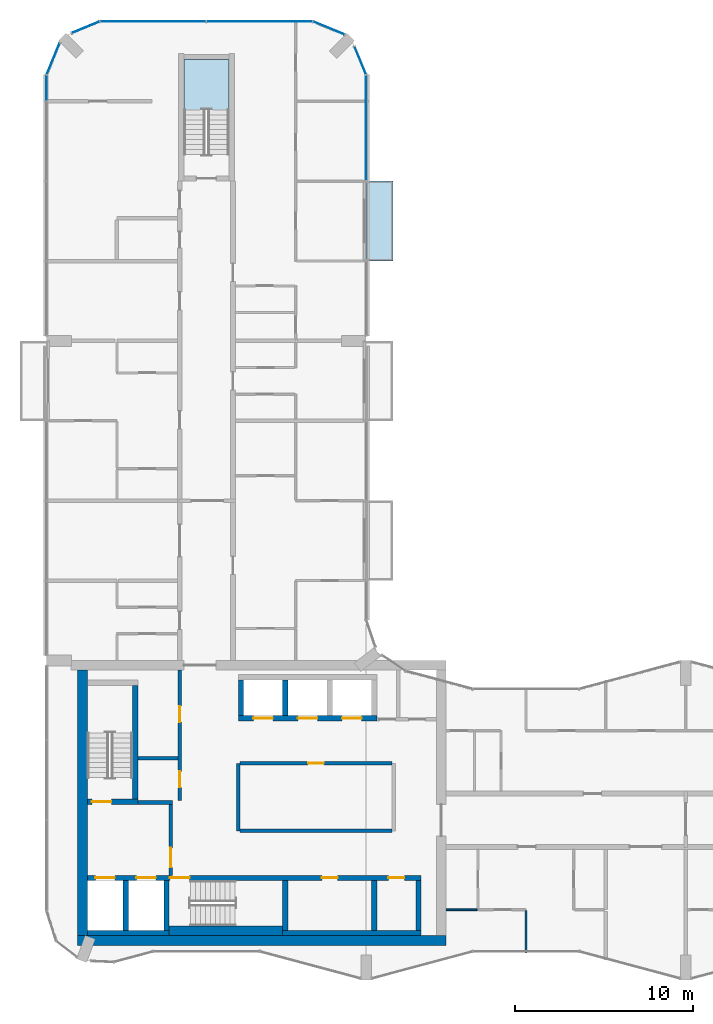
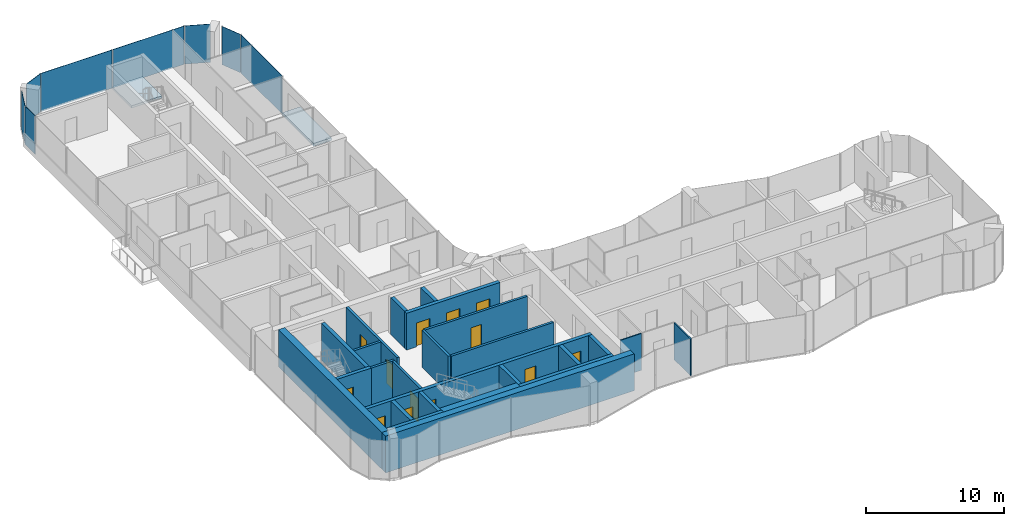
# One storey, part 9 of 15: 25 walls, 13 doors, 8 plates, 2 slabs, 13 openings, 8 elements without a shape of their own.
"""IFC4 building model written with IfcOpenShell, lengths in metres."""

import ifcopenshell
import ifcopenshell.guid

model = None  # the IFC model being written
_history = None  # IfcOwnerHistory: only IFC2X3 demands one
_inside = {}  # id of a spatial element -> (the spatial element, [elements in it])
_under = {}  # id of a project, library or spatial element -> (it, [spatial elements below it])
_declared = {}  # id of a project -> (the project, [libraries it declares])
_typed = {}  # id of a type object -> (the type object, [elements of that type])
_made_of = {}  # id of a material, layer set ... -> (it, [elements and type objects made of it])


def new_model(schema):
    """Start an empty IFC model of exactly this schema.

    Asked for "IFC4X3", IfcOpenShell would pick the latest addendum, in which some entities
    have other attributes; the version numbers below select the first issue.
    IFC2X3 requires an IfcOwnerHistory on every rooted entity: one is made here for all.
    """
    global model, _history
    if schema == "IFC4X3":
        model = ifcopenshell.file(schema_version=(4, 3, 0, 0))
    else:
        model = ifcopenshell.file(schema=schema)
    _inside.clear()
    _under.clear()
    _declared.clear()
    _typed.clear()
    _made_of.clear()
    _history = None
    if model.schema == "IFC2X3":
        org = make("IfcOrganization", Name="unknown")
        user = make(
            "IfcPersonAndOrganization",
            ThePerson=make("IfcPerson", FamilyName="unknown"),
            TheOrganization=org,
        )
        app = make(
            "IfcApplication",
            ApplicationDeveloper=org,
            Version="unknown",
            ApplicationFullName="unknown",
            ApplicationIdentifier="unknown",
        )
        _history = make(
            "IfcOwnerHistory",
            OwningUser=user,
            OwningApplication=app,
            ChangeAction="ADDED",
            CreationDate=0,
        )
    return model


def make(cls, **values):
    """One entity of the class cls with the attributes given. An attribute that is None is left unset."""
    return model.create_entity(
        cls, **{name: value for name, value in values.items() if value is not None}
    )


def rooted(cls, **values):
    """An entity with a GlobalId (a new one), such as an element, a storey or a relation."""
    return make(cls, GlobalId=ifcopenshell.guid.new(), OwnerHistory=_history, **values)


def si_unit(unit_type, name, prefix=None):
    """IfcSIUnit, for example si_unit("LENGTHUNIT", "METRE", prefix="MILLI")."""
    return make("IfcSIUnit", UnitType=unit_type, Prefix=prefix, Name=name)


def assignment(units):
    """IfcUnitAssignment: the units of a project."""
    return None if units is None else make("IfcUnitAssignment", Units=units)


def point(xyz):
    """IfcCartesianPoint."""
    return None if xyz is None else make("IfcCartesianPoint", Coordinates=xyz)


def direction(xyz):
    """IfcDirection."""
    return None if xyz is None else make("IfcDirection", DirectionRatios=xyz)


def frame(location, z_axis=None, x_axis=None):
    """IfcAxis2Placement3D, a coordinate frame: its origin and axes. An axis left out is left unset."""
    return make(
        "IfcAxis2Placement3D",
        Location=point(location),
        Axis=direction(z_axis),
        RefDirection=direction(x_axis),
    )


def frame_2d(location, x_axis=None):
    """IfcAxis2Placement2D, a coordinate frame in the plane: its origin and x axis."""
    return make(
        "IfcAxis2Placement2D", Location=point(location), RefDirection=direction(x_axis)
    )


def origin():
    """The frame at (0, 0, 0) with its axes left unset."""
    return frame((0.0, 0.0, 0.0))


def origin_2d():
    """The frame at (0, 0) in the plane with its x axis left unset."""
    return frame_2d((0.0, 0.0))


def place(relative_to, where):
    """IfcLocalPlacement: puts the frame where relative to a parent placement (None: the world)."""
    return make(
        "IfcLocalPlacement", PlacementRelTo=relative_to, RelativePlacement=where
    )


def context(
    kind, dimensions, precision=None, world=None, true_north=None, identifier=None
):
    """IfcGeometricRepresentationContext, for example the 3D "Model" context."""
    return make(
        "IfcGeometricRepresentationContext",
        ContextIdentifier=identifier,
        ContextType=kind,
        CoordinateSpaceDimension=dimensions,
        Precision=precision,
        WorldCoordinateSystem=world,
        TrueNorth=true_north,
    )


def subcontext(parent, identifier, kind, view, scale=None):
    """IfcGeometricRepresentationSubContext, for example "Body" below "Model"."""
    return make(
        "IfcGeometricRepresentationSubContext",
        ContextIdentifier=identifier,
        ContextType=kind,
        ParentContext=parent,
        TargetScale=scale,
        TargetView=view,
    )


def project(units=None, contexts=None):
    """IfcProject with its units and contexts."""
    return rooted(
        "IfcProject",
        Name="project",
        RepresentationContexts=contexts,
        UnitsInContext=assignment(units),
    )


def spatial(cls, under=None, at=None, **own):
    """A site, building, storey or space (cls), placed at a placement, below another one or the project."""
    s = rooted(cls, ObjectPlacement=at, **own)
    if under is not None:
        _under.setdefault(under.id(), (under, []))[1].append(s)
    return s


def polyline(points):
    """IfcPolyline through the points."""
    return make("IfcPolyline", Points=[point(p) for p in points])


def profile(cls, at=None, kind="AREA", **sizes):
    """A parametric profile (cls). Its sizes go by their IFC names, for example OverallWidth=200.0."""
    return make(cls, ProfileType=kind, Position=at, **sizes)


def rectangle(**sizes):
    """IfcRectangleProfileDef."""
    return profile("IfcRectangleProfileDef", **sizes)


def outline(outer, holes=None, kind="AREA"):
    """IfcArbitraryClosedProfileDef: a profile drawn as a closed curve; with holes, ...WithVoids."""
    if holes is None:
        return make("IfcArbitraryClosedProfileDef", ProfileType=kind, OuterCurve=outer)
    return make(
        "IfcArbitraryProfileDefWithVoids",
        ProfileType=kind,
        OuterCurve=outer,
        InnerCurves=holes,
    )


def extrude(swept, where, along, depth):
    """IfcExtrudedAreaSolid: the profile swept, set in the frame where, extruded along a direction by depth."""
    return make(
        "IfcExtrudedAreaSolid",
        SweptArea=swept,
        Position=where,
        ExtrudedDirection=direction(along),
        Depth=depth,
    )


def shape(context_of_items, identifier, shape_type, items):
    """IfcShapeRepresentation: the items that make up one representation, for example the "Body"."""
    return make(
        "IfcShapeRepresentation",
        ContextOfItems=context_of_items,
        RepresentationIdentifier=identifier,
        RepresentationType=shape_type,
        Items=items,
    )


def material(Name=None, Category=None):
    """IfcMaterial."""
    return make("IfcMaterial", Name=Name, Category=Category)


def layer(
    of_material, thickness, ventilated=None, Name=None, Category=None, Priority=None
):
    """IfcMaterialLayer: one layer of a wall or slab, of a material (None: an air gap)."""
    return make(
        "IfcMaterialLayer",
        Material=of_material,
        LayerThickness=thickness,
        IsVentilated=ventilated,
        Name=Name,
        Category=Category,
        Priority=Priority,
    )


def layer_set(layers, Name=None):
    """IfcMaterialLayerSet."""
    return make("IfcMaterialLayerSet", MaterialLayers=layers, LayerSetName=Name)


def made_of(thing, what):
    """Note that an element or type object is made of a material, layer set ...; save() writes the relation."""
    if what is not None:
        _made_of.setdefault(what.id(), (what, []))[1].append(thing)
    return thing


def type_object(cls, material=None, **own):
    """A type object (cls), such as IfcWallType, which elements share."""
    return made_of(rooted(cls, **own), material)


def element(
    cls,
    number,
    at=None,
    inside=None,
    cuts=None,
    type_object=None,
    material=None,
    context=None,
    identifier="Body",
    shape_type=None,
    held_by="IfcProductDefinitionShape",
    body=None,
    shapes=None,
    **own,
):
    """One element of the class cls, such as IfcWall. Its Tag is "e" and its number.

    at: its placement. inside: the storey or other place that contains it. cuts: it is an
    opening in that element (IfcRelVoidsElement). A single representation is given by context,
    identifier, shape_type and body (its items); several are given by shapes. held_by: the class
    of the entity that holds the representations. save() writes the other relations.
    """
    e = rooted(cls, Tag="e%d" % number, ObjectPlacement=at, **own)
    if body is not None:
        shapes = [shape(context, identifier, shape_type, body)]
    if shapes is not None:
        e.Representation = make(held_by, Representations=shapes)
    if inside is not None:
        _inside.setdefault(inside.id(), (inside, []))[1].append(e)
    if cuts is not None:
        rooted(
            "IfcRelVoidsElement", RelatingBuildingElement=cuts, RelatedOpeningElement=e
        )
    if type_object is not None:
        _typed.setdefault(type_object.id(), (type_object, []))[1].append(e)
    return made_of(e, material)


def fill(opening, filler):
    """IfcRelFillsElement: the door or window that sits in an opening."""
    return rooted(
        "IfcRelFillsElement",
        RelatingOpeningElement=opening,
        RelatedBuildingElement=filler,
    )


def aggregate(whole, parts):
    """IfcRelAggregates: a whole, such as a stair, and the parts it consists of."""
    return rooted("IfcRelAggregates", RelatingObject=whole, RelatedObjects=parts)


def save(model, path):
    """Write the relations noted so far, then the file.

    IfcRelAggregates (storeys below a building ...), IfcRelContainedInSpatialStructure (elements
    in a storey), IfcRelDefinesByType, IfcRelAssociatesMaterial and IfcRelDeclares: one each for
    every whole, place, type object, material and project.
    """
    for whole, parts in _under.values():
        aggregate(whole, parts)
    for where, things in _inside.values():
        rooted(
            "IfcRelContainedInSpatialStructure",
            RelatedElements=things,
            RelatingStructure=where,
        )
    for kind, things in _typed.values():
        rooted("IfcRelDefinesByType", RelatedObjects=things, RelatingType=kind)
    for what, things in _made_of.values():
        rooted("IfcRelAssociatesMaterial", RelatedObjects=things, RelatingMaterial=what)
    for by, libraries in _declared.values():
        rooted("IfcRelDeclares", RelatingContext=by, RelatedDefinitions=libraries)
    model.write(path)


model = new_model("IFC4")

# Units and contexts
model_context = context("Model", 3, precision=1e-05, world=origin(), true_north=direction((0.0, 1.0)))
body_context = subcontext(model_context, "Body", "Model", "MODEL_VIEW")
ifc_project = project(units=[si_unit("LENGTHUNIT", "METRE"), si_unit("AREAUNIT", "SQUARE_METRE"), si_unit("VOLUMEUNIT", "CUBIC_METRE"), si_unit("PLANEANGLEUNIT", "RADIAN"), si_unit("MASSUNIT", "GRAM", prefix="KILO")], contexts=[model_context])

# Site, building, storey
site_placement = place(None, origin())
site = spatial("IfcSite", under=ifc_project, at=site_placement, CompositionType="ELEMENT")
building_placement = place(site_placement, origin())
building = spatial("IfcBuilding", under=site, at=building_placement, Name="Plateau Cross Towers", CompositionType="ELEMENT")
storey_placement = place(building_placement, frame((0.0, 0.0, 204.89990234375)))
storey = spatial("IfcBuildingStorey", under=building, at=storey_placement, Name="L53", CompositionType="ELEMENT", Elevation=204.89990234375)

# Slab
ifc_material_1 = material(Name="Concrete C40/50", Category="concrete")
ifc_layer_1 = layer(ifc_material_1, 0.25)
ifc_layer_set_1 = layer_set([ifc_layer_1], Name="Concrete C40/50")
slab_type_1 = type_object("IfcSlabType", Name="Balcony slab 250", PredefinedType="FLOOR", material=ifc_layer_set_1)
slab_1_placement = place(storey_placement, frame((0.0, 0.0, -0.25)))
element("IfcSlab", 1, at=slab_1_placement, inside=storey, type_object=slab_type_1, Name="Balcony slab A-BAL-L53-04", PredefinedType="FLOOR", context=body_context, shape_type="SweptSolid", body=[
    extrude(outline(polyline([(19.5, 40.5), (19.5, 45.0), (18.0, 45.0), (18.0, 40.5), (19.5, 40.5)])), origin(), (0.0, 0.0, 1.0), 0.25),
])

# Curtain wall, plate
ifc_material_2 = material(Name="Dark low-iron glass", Category="glass")
ifc_layer_2 = layer(ifc_material_2, 0.239990234375)
ifc_layer_set_2 = layer_set([ifc_layer_2], Name="Dark low-iron glass")
curtain_wall_type = type_object("IfcCurtainWallType", Name="Curtain wall flush unitised CW-B", PredefinedType="NOTDEFINED", material=ifc_layer_set_2)
curtain_wall_1_placement = place(storey_placement, origin())
curtain_wall_1 = element("IfcCurtainWall", 2, at=curtain_wall_1_placement, inside=storey, type_object=curtain_wall_type, Name="ENV/A/L53/A180_450", PredefinedType="NOTDEFINED")
ifc_layer_3 = layer(ifc_material_2, 0.031982421875)
ifc_layer_set_3 = layer_set([ifc_layer_3], Name="Dark low-iron glass")
plate_type = type_object("IfcPlateType", Name="Glass panel 32 flush unitised", PredefinedType="CURTAIN_PANEL", material=ifc_layer_set_3)
plate_1_placement = place(storey_placement, frame((18.0, 48.0048828125, -0.1298828125), z_axis=(0.0, 0.0, 1.0), x_axis=(0.0, 1.0, 0.0)))
plate_1 = element("IfcPlate", 3, at=plate_1_placement, type_object=plate_type, Name="CW-B panel 1", PredefinedType="CURTAIN_PANEL", context=body_context, shape_type="SweptSolid", body=[
    extrude(rectangle(XDim=5.929931640625, YDim=0.031982421875, at=origin_2d()), origin(), (0.0, 0.0, 1.0), 3.3798828125),
])
aggregate(curtain_wall_1, [plate_1])

curtain_wall_2_placement = place(storey_placement, origin())
curtain_wall_2 = element("IfcCurtainWall", 4, at=curtain_wall_2_placement, inside=storey, type_object=curtain_wall_type, Name="ENV/A/L53/A180_510", PredefinedType="NOTDEFINED")
plate_2_placement = place(storey_placement, frame((17.66943359375, 51.79833984375, -0.1298828125), z_axis=(0.0, 0.0, 1.0), x_axis=(-0.382683612978, 0.923879457699, 0.0)))
plate_2 = element("IfcPlate", 5, at=plate_2_placement, type_object=plate_type, Name="CW-B panel 1", PredefinedType="CURTAIN_PANEL", context=body_context, shape_type="SweptSolid", body=[
    extrude(rectangle(XDim=1.668212890625, YDim=0.031982421875, at=origin_2d()), origin(), (0.0, 0.0, 1.0), 3.3798828125),
])
aggregate(curtain_wall_2, [plate_2])

curtain_wall_3_placement = place(storey_placement, origin())
curtain_wall_3 = element("IfcCurtainWall", 6, at=curtain_wall_3_placement, inside=storey, type_object=curtain_wall_type, Name="ENV/A/L53/A168_533", PredefinedType="NOTDEFINED")
plate_3_placement = place(storey_placement, frame((15.90283203125, 53.6259765625, -0.1298828125), z_axis=(0.0, 0.0, 1.0), x_axis=(-0.923879457699, 0.382683612978, 0.0)))
plate_3 = element("IfcPlate", 7, at=plate_3_placement, type_object=plate_type, Name="CW-B panel 1", PredefinedType="CURTAIN_PANEL", context=body_context, shape_type="SweptSolid", body=[
    extrude(rectangle(XDim=1.894775390625, YDim=0.031982421875, at=origin_2d()), origin(), (0.0, 0.0, 1.0), 3.3798828125),
])
aggregate(curtain_wall_3, [plate_3])

# Curtain wall, plates
curtain_wall_4_placement = place(storey_placement, origin())
curtain_wall_4 = element("IfcCurtainWall", 8, at=curtain_wall_4_placement, inside=storey, type_object=curtain_wall_type, Name="ENV/A/L53/A150_540", PredefinedType="NOTDEFINED")
plate_4_placement = place(storey_placement, frame((12.0, 54.0, -0.1298828125), z_axis=(0.0, 0.0, 1.0), x_axis=(-1.0, 0.0, 0.0)))
plate_4 = element("IfcPlate", 9, at=plate_4_placement, type_object=plate_type, Name="CW-B panel 1", PredefinedType="CURTAIN_PANEL", context=body_context, shape_type="SweptSolid", body=[
    extrude(rectangle(XDim=5.93994140625, YDim=0.031982421875, at=origin_2d()), origin(), (0.0, 0.0, 1.0), 3.3798828125),
])
plate_5_placement = place(storey_placement, frame((6.0, 54.0, -0.1298828125), z_axis=(0.0, 0.0, 1.0), x_axis=(-1.0, 0.0, 0.0)))
plate_5 = element("IfcPlate", 10, at=plate_5_placement, type_object=plate_type, Name="CW-B panel 2", PredefinedType="CURTAIN_PANEL", context=body_context, shape_type="SweptSolid", body=[
    extrude(rectangle(XDim=5.93994140625, YDim=0.031982421875, at=origin_2d()), origin(), (0.0, 0.0, 1.0), 3.3798828125),
])
aggregate(curtain_wall_4, [plate_4, plate_5])

# Curtain wall, plate
curtain_wall_5_placement = place(storey_placement, origin())
curtain_wall_5 = element("IfcCurtainWall", 11, at=curtain_wall_5_placement, inside=storey, type_object=curtain_wall_type, Name="ENV/A/L53/A30_540", PredefinedType="NOTDEFINED")
plate_6_placement = place(storey_placement, frame((2.20166015625, 53.66943359375, -0.1298828125), z_axis=(0.0, 0.0, 1.0), x_axis=(-0.923879457699, -0.382683612978, 0.0)))
plate_6 = element("IfcPlate", 12, at=plate_6_placement, type_object=plate_type, Name="CW-B panel 1", PredefinedType="CURTAIN_PANEL", context=body_context, shape_type="SweptSolid", body=[
    extrude(rectangle(XDim=1.668212890625, YDim=0.031982421875, at=origin_2d()), origin(), (0.0, 0.0, 1.0), 3.3798828125),
])
aggregate(curtain_wall_5, [plate_6])

curtain_wall_6_placement = place(storey_placement, origin())
curtain_wall_6 = element("IfcCurtainWall", 13, at=curtain_wall_6_placement, inside=storey, type_object=curtain_wall_type, Name="ENV/A/L53/A7_528", PredefinedType="NOTDEFINED")
plate_7_placement = place(storey_placement, frame((0.3740234375, 51.90283203125, -0.1298828125), z_axis=(0.0, 0.0, 1.0), x_axis=(-0.382683612978, -0.923879457699, 0.0)))
plate_7 = element("IfcPlate", 14, at=plate_7_placement, type_object=plate_type, Name="CW-B panel 1", PredefinedType="CURTAIN_PANEL", context=body_context, shape_type="SweptSolid", body=[
    extrude(rectangle(XDim=1.894775390625, YDim=0.031982421875, at=origin_2d()), origin(), (0.0, 0.0, 1.0), 3.3798828125),
])
aggregate(curtain_wall_6, [plate_7])

curtain_wall_7_placement = place(storey_placement, origin())
curtain_wall_7 = element("IfcCurtainWall", 15, at=curtain_wall_7_placement, inside=storey, type_object=curtain_wall_type, Name="ENV/A/L53/A0_510", PredefinedType="NOTDEFINED")
plate_8_placement = place(storey_placement, frame((0.0, 50.25, -0.1298828125), z_axis=(0.0, 0.0, 1.0), x_axis=(0.0, -1.0, 0.0)))
plate_8 = element("IfcPlate", 16, at=plate_8_placement, type_object=plate_type, Name="CW-B panel 1", PredefinedType="CURTAIN_PANEL", context=body_context, shape_type="SweptSolid", body=[
    extrude(rectangle(XDim=1.43994140625, YDim=0.031982421875, at=origin_2d()), origin(), (0.0, 0.0, 1.0), 3.3798828125),
])
aggregate(curtain_wall_7, [plate_8])

# Stair, slab
stair_type = type_object("IfcStairType", Name="ST-TWR", PredefinedType="HALF_TURN_STAIR", material=ifc_material_1)
stair_placement = place(storey_placement, origin())
stair = element("IfcStair", 17, at=stair_placement, inside=storey, type_object=stair_type, Name="L53 Protected Exit Stair N", PredefinedType="HALF_TURN_STAIR")
ifc_layer_4 = layer(ifc_material_1, 0.199951171875)
ifc_layer_set_4 = layer_set([ifc_layer_4], Name="Concrete C40/50")
slab_type_2 = type_object("IfcSlabType", Name="SL-LANDING", PredefinedType="LANDING", material=ifc_layer_set_4)
slab_2_placement = place(storey_placement, frame((0.0, 0.0, 1.550048828125)))
slab_2 = element("IfcSlab", 18, at=slab_2_placement, type_object=slab_type_2, Name="ES-N landing 1", PredefinedType="LANDING", context=body_context, shape_type="SweptSolid", body=[
    extrude(outline(polyline([(10.27490234375, 49.02001953125), (10.27490234375, 51.85009765625), (7.72509765625, 51.85009765625), (7.72509765625, 49.02001953125), (10.27490234375, 49.02001953125)])), origin(), (0.0, 0.0, 1.0), 0.199951171875),
])
aggregate(stair, [slab_2])

# Wall, opening, door
ifc_material_3 = material(Name="Concrete block, plastered both sides", Category="concrete")
ifc_layer_5 = layer(ifc_material_3, 0.199951171875)
ifc_layer_set_5 = layer_set([ifc_layer_5], Name="Concrete block, plastered both sides")
wall_type_1 = type_object("IfcWallType", Name="Core partition 200", PredefinedType="PARTITIONING", material=ifc_layer_set_5)
wall_1_placement = place(storey_placement, frame((7.0, 5.89990234375, 0.0), z_axis=(0.0, 0.0, 1.0), x_axis=(0.0, 1.0, 0.0)))
wall_1 = element("IfcWall", 19, at=wall_1_placement, inside=storey, type_object=wall_type_1, Name="Core partition", PredefinedType="PARTITIONING", context=body_context, shape_type="SweptSolid", body=[
    extrude(rectangle(XDim=4.0, YDim=0.199951171875, at=frame_2d((2.0, 0.0))), origin(), (0.0, 0.0, 1.0), 3.25),
])
opening_1_placement = place(wall_1_placement, frame((0.449951171875, 0.0, 0.0)))
opening_1 = element("IfcOpeningElement", 20, at=opening_1_placement, cuts=wall_1, Name="Opening FFD", PredefinedType="OPENING", context=body_context, shape_type="SweptSolid", body=[
    extrude(rectangle(XDim=1.10009765625, YDim=2.10009765625, at=frame_2d((0.550048828125, 1.050048828125))), frame((0.0, 0.10986328125, 0.0), z_axis=(0.0, -1.0, 0.0), x_axis=(1.0, 0.0, 0.0)), (0.0, 0.0, 1.0), 0.219970703125),
])
ifc_material_4 = material(Name="Steel, fire-resisting leaf", Category="steel")
door_type_1 = type_object("IfcDoorType", Name="Firefighting lobby door 1100", OperationType="NOTDEFINED", PredefinedType="DOOR", material=ifc_material_4)
door_1_placement = place(opening_1_placement, origin())
door_1 = element("IfcDoor", 21, at=door_1_placement, inside=storey, type_object=door_type_1, Name="Firefighting lobby door FFD", OperationType="SINGLE_SWING_LEFT", OverallHeight=2.10009765625, OverallWidth=1.10009765625, PredefinedType="DOOR", context=body_context, shape_type="SweptSolid", body=[
    extrude(rectangle(XDim=1.10009765625, YDim=2.10009765625, at=frame_2d((0.550048828125, 1.050048828125))), frame((0.0, 0.02490234375, 0.0), z_axis=(0.0, -1.0, 0.0), x_axis=(1.0, 0.0, 0.0)), (0.0, 0.0, 1.0), 0.050048828125),
])
fill(opening_1, door_1)

# Walls
wall_2_placement = place(storey_placement, frame((5.14990234375, 10.0, 0.0), z_axis=(0.0, 0.0, 1.0), x_axis=(1.0, 0.0, 0.0)))
element("IfcWall", 22, at=wall_2_placement, inside=storey, type_object=wall_type_1, Name="Core partition", PredefinedType="PARTITIONING", context=body_context, shape_type="SweptSolid", body=[
    extrude(rectangle(XDim=1.9501953125, YDim=0.199951171875, at=frame_2d((0.97509765625, 0.0))), origin(), (0.0, 0.0, 1.0), 3.25),
])
wall_3_placement = place(storey_placement, frame((10.800048828125, 8.39990234375, 0.0), z_axis=(0.0, 0.0, 1.0), x_axis=(0.0, 1.0, 0.0)))
element("IfcWall", 23, at=wall_3_placement, inside=storey, type_object=wall_type_1, Name="Core partition", PredefinedType="PARTITIONING", context=body_context, shape_type="SweptSolid", body=[
    extrude(rectangle(XDim=3.800048828125, YDim=0.199951171875, at=frame_2d((1.89990234375, 0.0))), origin(), (0.0, 0.0, 1.0), 3.25),
])
wall_4_placement = place(storey_placement, frame((10.89990234375, 8.39990234375, 0.0), z_axis=(0.0, 0.0, 1.0), x_axis=(1.0, 0.0, 0.0)))
element("IfcWall", 24, at=wall_4_placement, inside=storey, type_object=wall_type_1, Name="Core partition", PredefinedType="PARTITIONING", context=body_context, shape_type="SweptSolid", body=[
    extrude(rectangle(XDim=8.550048828125, YDim=0.199951171875, at=frame_2d((4.27490234375, 0.0))), origin(), (0.0, 0.0, 1.0), 3.25),
])

# Wall, opening, door
wall_5_placement = place(storey_placement, frame((10.89990234375, 12.199951171875, 0.0), z_axis=(0.0, 0.0, 1.0), x_axis=(1.0, 0.0, 0.0)))
wall_5 = element("IfcWall", 25, at=wall_5_placement, inside=storey, type_object=wall_type_1, Name="Core partition", PredefinedType="PARTITIONING", context=body_context, shape_type="SweptSolid", body=[
    extrude(rectangle(XDim=8.550048828125, YDim=0.199951171875, at=frame_2d((4.27490234375, 0.0))), origin(), (0.0, 0.0, 1.0), 3.25),
])
opening_2_placement = place(wall_5_placement, frame((3.824951171875, 0.0, 0.0)))
opening_2 = element("IfcOpeningElement", 26, at=opening_2_placement, cuts=wall_5, Name="Opening RD1", PredefinedType="OPENING", context=body_context, shape_type="SweptSolid", body=[
    extrude(rectangle(XDim=0.89990234375, YDim=2.10009765625, at=frame_2d((0.449951171875, 1.050048828125))), frame((0.0, 0.10986328125, 0.0), z_axis=(0.0, -1.0, 0.0), x_axis=(1.0, 0.0, 0.0)), (0.0, 0.0, 1.0), 0.219970703125),
])
ifc_material_5 = material(Name="Timber, fire-resisting leaf", Category="wood")
door_type_2 = type_object("IfcDoorType", Name="Core service door 900", OperationType="NOTDEFINED", PredefinedType="DOOR", material=ifc_material_5)
door_2_placement = place(opening_2_placement, origin())
door_2 = element("IfcDoor", 27, at=door_2_placement, inside=storey, type_object=door_type_2, Name="Core service door RD1", OperationType="SINGLE_SWING_LEFT", OverallHeight=2.10009765625, OverallWidth=0.89990234375, PredefinedType="DOOR", context=body_context, shape_type="SweptSolid", body=[
    extrude(rectangle(XDim=0.89990234375, YDim=2.10009765625, at=frame_2d((0.449951171875, 1.050048828125))), frame((0.0, 0.02490234375, 0.0), z_axis=(0.0, -1.0, 0.0), x_axis=(1.0, 0.0, 0.0)), (0.0, 0.0, 1.0), 0.050048828125),
])
fill(opening_2, door_2)

# Wall, openings, doors
wall_6_placement = place(storey_placement, frame((7.5, 10.10009765625, 0.0), z_axis=(0.0, 0.0, 1.0), x_axis=(0.0, 1.0, 0.0)))
wall_6 = element("IfcWall", 28, at=wall_6_placement, inside=storey, type_object=wall_type_1, Name="Core partition", PredefinedType="PARTITIONING", context=body_context, shape_type="SweptSolid", body=[
    extrude(rectangle(XDim=7.349853515625, YDim=0.199951171875, at=frame_2d((3.6748046875, 0.0))), origin(), (0.0, 0.0, 1.0), 3.25),
])
opening_3_placement = place(wall_6_placement, frame((0.75, 0.0, 0.0)))
opening_3 = element("IfcOpeningElement", 29, at=opening_3_placement, cuts=wall_6, Name="Opening RD1", PredefinedType="OPENING", context=body_context, shape_type="SweptSolid", body=[
    extrude(rectangle(XDim=0.89990234375, YDim=2.10009765625, at=frame_2d((0.449951171875, 1.050048828125))), frame((0.0, 0.10986328125, 0.0), z_axis=(0.0, -1.0, 0.0), x_axis=(1.0, 0.0, 0.0)), (0.0, 0.0, 1.0), 0.219970703125),
])
opening_4_placement = place(wall_6_placement, frame((4.425048828125, 0.0, 0.0)))
opening_4 = element("IfcOpeningElement", 30, at=opening_4_placement, cuts=wall_6, Name="Opening RD1", PredefinedType="OPENING", context=body_context, shape_type="SweptSolid", body=[
    extrude(rectangle(XDim=0.89990234375, YDim=2.10009765625, at=frame_2d((0.449951171875, 1.050048828125))), frame((0.0, 0.10986328125, 0.0), z_axis=(0.0, -1.0, 0.0), x_axis=(1.0, 0.0, 0.0)), (0.0, 0.0, 1.0), 0.219970703125),
])
door_3_placement = place(opening_3_placement, origin())
door_3 = element("IfcDoor", 31, at=door_3_placement, inside=storey, type_object=door_type_2, Name="Core service door RD1", OperationType="SINGLE_SWING_RIGHT", OverallHeight=2.10009765625, OverallWidth=0.89990234375, PredefinedType="DOOR", context=body_context, shape_type="SweptSolid", body=[
    extrude(rectangle(XDim=0.89990234375, YDim=2.10009765625, at=frame_2d((0.449951171875, 1.050048828125))), frame((0.0, 0.02490234375, 0.0), z_axis=(0.0, -1.0, 0.0), x_axis=(1.0, 0.0, 0.0)), (0.0, 0.0, 1.0), 0.050048828125),
])
fill(opening_3, door_3)
door_4_placement = place(opening_4_placement, origin())
door_4 = element("IfcDoor", 32, at=door_4_placement, inside=storey, type_object=door_type_2, Name="Core service door RD1", OperationType="SINGLE_SWING_RIGHT", OverallHeight=2.10009765625, OverallWidth=0.89990234375, PredefinedType="DOOR", context=body_context, shape_type="SweptSolid", body=[
    extrude(rectangle(XDim=0.89990234375, YDim=2.10009765625, at=frame_2d((0.449951171875, 1.050048828125))), frame((0.0, 0.02490234375, 0.0), z_axis=(0.0, -1.0, 0.0), x_axis=(1.0, 0.0, 0.0)), (0.0, 0.0, 1.0), 0.050048828125),
])
fill(opening_4, door_4)

# Walls
wall_7_placement = place(storey_placement, frame((5.14990234375, 12.5, 0.0), z_axis=(0.0, 0.0, 1.0), x_axis=(1.0, 0.0, 0.0)))
element("IfcWall", 33, at=wall_7_placement, inside=storey, type_object=wall_type_1, Name="Core partition", PredefinedType="PARTITIONING", context=body_context, shape_type="SweptSolid", body=[
    extrude(rectangle(XDim=2.25, YDim=0.199951171875, at=frame_2d((1.125, 0.0))), origin(), (0.0, 0.0, 1.0), 3.25),
])
ifc_material_6 = material(Name="Concrete C60/75", Category="concrete")
ifc_layer_6 = layer(ifc_material_6, 0.300048828125)
ifc_layer_set_6 = layer_set([ifc_layer_6], Name="Concrete C60/75")
wall_type_2 = type_object("IfcWallType", Name="Core shaft wall 300", PredefinedType="SHEAR", material=ifc_layer_set_6)
wall_8_placement = place(storey_placement, frame((2.300048828125, 2.64990234375, 0.0), z_axis=(0.0, 0.0, 1.0), x_axis=(1.0, 0.0, 0.0)))
element("IfcWall", 34, at=wall_8_placement, inside=storey, type_object=wall_type_2, Name="A-sb-back1@L53", PredefinedType="SHEAR", context=body_context, shape_type="SweptSolid", body=[
    extrude(rectangle(XDim=4.599853515625, YDim=0.300048828125, at=frame_2d((2.2998046875, 0.0))), origin(), (0.0, 0.0, 1.0), 3.25),
])
wall_9_placement = place(storey_placement, frame((13.300048828125, 2.64990234375, 0.0), z_axis=(0.0, 0.0, 1.0), x_axis=(1.0, 0.0, 0.0)))
element("IfcWall", 35, at=wall_9_placement, inside=storey, type_object=wall_type_2, Name="A-sb-back3@L53", PredefinedType="SHEAR", context=body_context, shape_type="SweptSolid", body=[
    extrude(rectangle(XDim=7.800048828125, YDim=0.300048828125, at=frame_2d((3.89990234375, 0.0))), origin(), (0.0, 0.0, 1.0), 3.25),
])
for number, where, z_axis, x_axis, name in (
    (36, (4.449951171875, 2.800048828125, 0.0), (0.0, 0.0, 1.0), (0.0, 1.0, 0.0), "A-sb-v1@L53"),
    (37, (6.75, 2.800048828125, 0.0), (0.0, 0.0, 1.0), (0.0, 1.0, 0.0), "A-sb-v2@L53"),
    (38, (13.449951171875, 2.800048828125, 0.0), (0.0, 0.0, 1.0), (0.0, 1.0, 0.0), "A-sb-v3@L53"),
    (39, (18.449951171875, 2.800048828125, 0.0), (0.0, 0.0, 1.0), (0.0, 1.0, 0.0), "A-sb-v5@L53"),
    (40, (20.949951171875, 2.800048828125, 0.0), (0.0, 0.0, 1.0), (0.0, 1.0, 0.0), "A-sb-v6@L53"),
):
    element("IfcWall", number, at=place(storey_placement, frame(where, z_axis=z_axis, x_axis=x_axis)), inside=storey, type_object=wall_type_2, Name=name, PredefinedType="SHEAR", context=body_context, shape_type="SweptSolid", body=[
        extrude(rectangle(XDim=2.800048828125, YDim=0.300048828125, at=frame_2d((1.39990234375, 0.0))), origin(), (0.0, 0.0, 1.0), 3.25),
    ])

# Wall, openings, doors
wall_10_placement = place(storey_placement, frame((2.300048828125, 5.75, 0.0), z_axis=(0.0, 0.0, 1.0), x_axis=(1.0, 0.0, 0.0)))
wall_10 = element("IfcWall", 41, at=wall_10_placement, inside=storey, type_object=wall_type_2, Name="A-sb-front@L53", PredefinedType="SHEAR", context=body_context, shape_type="SweptSolid", body=[
    extrude(rectangle(XDim=18.800048828125, YDim=0.300048828125, at=frame_2d((9.39990234375, 0.0))), origin(), (0.0, 0.0, 1.0), 3.25),
])
opening_5_placement = place(wall_10_placement, frame((4.64990234375, 0.0, 0.0)))
opening_5 = element("IfcOpeningElement", 42, at=opening_5_placement, cuts=wall_10, Name="Opening SD", PredefinedType="OPENING", context=body_context, shape_type="SweptSolid", body=[
    extrude(rectangle(XDim=1.10009765625, YDim=2.10009765625, at=frame_2d((0.550048828125, 1.050048828125))), frame((0.0, 0.159912109375, 0.0), z_axis=(0.0, -1.0, 0.0), x_axis=(1.0, 0.0, 0.0)), (0.0, 0.0, 1.0), 0.320068359375),
])
opening_6_placement = place(wall_10_placement, frame((0.449951171875, 0.0, 0.0)))
opening_6 = element("IfcOpeningElement", 43, at=opening_6_placement, cuts=wall_10, Name="Opening LD", PredefinedType="OPENING", context=body_context, shape_type="SweptSolid", body=[
    extrude(rectangle(XDim=1.10009765625, YDim=2.10009765625, at=frame_2d((0.550048828125, 1.050048828125))), frame((0.0, 0.159912109375, 0.0), z_axis=(0.0, -1.0, 0.0), x_axis=(1.0, 0.0, 0.0)), (0.0, 0.0, 1.0), 0.320068359375),
])
opening_7_placement = place(wall_10_placement, frame((2.75, 0.0, 0.0)))
opening_7 = element("IfcOpeningElement", 44, at=opening_7_placement, cuts=wall_10, Name="Opening LD", PredefinedType="OPENING", context=body_context, shape_type="SweptSolid", body=[
    extrude(rectangle(XDim=1.10009765625, YDim=2.10009765625, at=frame_2d((0.550048828125, 1.050048828125))), frame((0.0, 0.159912109375, 0.0), z_axis=(0.0, -1.0, 0.0), x_axis=(1.0, 0.0, 0.0)), (0.0, 0.0, 1.0), 0.320068359375),
])
opening_8_placement = place(wall_10_placement, frame((13.199951171875, 0.0, 0.0)))
opening_8 = element("IfcOpeningElement", 45, at=opening_8_placement, cuts=wall_10, Name="Opening RD2", PredefinedType="OPENING", context=body_context, shape_type="SweptSolid", body=[
    extrude(rectangle(XDim=0.89990234375, YDim=2.10009765625, at=frame_2d((0.449951171875, 1.050048828125))), frame((0.0, 0.159912109375, 0.0), z_axis=(0.0, -1.0, 0.0), x_axis=(1.0, 0.0, 0.0)), (0.0, 0.0, 1.0), 0.320068359375),
])
opening_9_placement = place(wall_10_placement, frame((16.949951171875, 0.0, 0.0)))
opening_9 = element("IfcOpeningElement", 46, at=opening_9_placement, cuts=wall_10, Name="Opening RD2", PredefinedType="OPENING", context=body_context, shape_type="SweptSolid", body=[
    extrude(rectangle(XDim=0.89990234375, YDim=2.10009765625, at=frame_2d((0.449951171875, 1.050048828125))), frame((0.0, 0.159912109375, 0.0), z_axis=(0.0, -1.0, 0.0), x_axis=(1.0, 0.0, 0.0)), (0.0, 0.0, 1.0), 0.320068359375),
])
door_type_3 = type_object("IfcDoorType", Name="Core riser door 900", OperationType="NOTDEFINED", PredefinedType="DOOR", material=ifc_material_4)
door_5_placement = place(opening_8_placement, origin())
door_5 = element("IfcDoor", 47, at=door_5_placement, inside=storey, type_object=door_type_3, Name="Core riser door RD2", OperationType="SINGLE_SWING_LEFT", OverallHeight=2.10009765625, OverallWidth=0.89990234375, PredefinedType="DOOR", context=body_context, shape_type="SweptSolid", body=[
    extrude(rectangle(XDim=0.89990234375, YDim=2.10009765625, at=frame_2d((0.449951171875, 1.050048828125))), frame((0.0, 0.02490234375, 0.0), z_axis=(0.0, -1.0, 0.0), x_axis=(1.0, 0.0, 0.0)), (0.0, 0.0, 1.0), 0.050048828125),
])
fill(opening_8, door_5)
door_6_placement = place(opening_9_placement, origin())
door_6 = element("IfcDoor", 48, at=door_6_placement, inside=storey, type_object=door_type_3, Name="Core riser door RD2", OperationType="SINGLE_SWING_LEFT", OverallHeight=2.10009765625, OverallWidth=0.89990234375, PredefinedType="DOOR", context=body_context, shape_type="SweptSolid", body=[
    extrude(rectangle(XDim=0.89990234375, YDim=2.10009765625, at=frame_2d((0.449951171875, 1.050048828125))), frame((0.0, 0.02490234375, 0.0), z_axis=(0.0, -1.0, 0.0), x_axis=(1.0, 0.0, 0.0)), (0.0, 0.0, 1.0), 0.050048828125),
])
fill(opening_9, door_6)
ifc_material_7 = material(Name="Stainless steel, fire-resisting sliding leaves", Category="steel")
door_type_4 = type_object("IfcDoorType", Name="Lift landing door 1100", OperationType="NOTDEFINED", PredefinedType="DOOR", material=ifc_material_7)
door_7_placement = place(opening_6_placement, origin())
door_7 = element("IfcDoor", 49, at=door_7_placement, inside=storey, type_object=door_type_4, Name="Lift landing door LD", OperationType="DOUBLE_DOOR_SLIDING", OverallHeight=2.10009765625, OverallWidth=1.10009765625, PredefinedType="DOOR", context=body_context, shape_type="SweptSolid", body=[
    extrude(rectangle(XDim=1.10009765625, YDim=2.10009765625, at=frame_2d((0.550048828125, 1.050048828125))), frame((0.0, 0.02490234375, 0.0), z_axis=(0.0, -1.0, 0.0), x_axis=(1.0, 0.0, 0.0)), (0.0, 0.0, 1.0), 0.050048828125),
])
fill(opening_6, door_7)
door_8_placement = place(opening_7_placement, origin())
door_8 = element("IfcDoor", 50, at=door_8_placement, inside=storey, type_object=door_type_4, Name="Lift landing door LD", OperationType="DOUBLE_DOOR_SLIDING", OverallHeight=2.10009765625, OverallWidth=1.10009765625, PredefinedType="DOOR", context=body_context, shape_type="SweptSolid", body=[
    extrude(rectangle(XDim=1.10009765625, YDim=2.10009765625, at=frame_2d((0.550048828125, 1.050048828125))), frame((0.0, 0.02490234375, 0.0), z_axis=(0.0, -1.0, 0.0), x_axis=(1.0, 0.0, 0.0)), (0.0, 0.0, 1.0), 0.050048828125),
])
fill(opening_7, door_8)
door_type_5 = type_object("IfcDoorType", Name="Stair door 1100", OperationType="NOTDEFINED", PredefinedType="DOOR", material=ifc_material_4)
door_9_placement = place(opening_5_placement, origin())
door_9 = element("IfcDoor", 51, at=door_9_placement, inside=storey, type_object=door_type_5, Name="Stair door SD", OperationType="SINGLE_SWING_LEFT", OverallHeight=2.10009765625, OverallWidth=1.10009765625, PredefinedType="DOOR", context=body_context, shape_type="SweptSolid", body=[
    extrude(rectangle(XDim=1.10009765625, YDim=2.10009765625, at=frame_2d((0.550048828125, 1.050048828125))), frame((0.0, 0.02490234375, 0.0), z_axis=(0.0, -1.0, 0.0), x_axis=(1.0, 0.0, 0.0)), (0.0, 0.0, 1.0), 0.050048828125),
])
fill(opening_5, door_9)

# Wall, opening, door
wall_11_placement = place(storey_placement, frame((2.300048828125, 10.050048828125, 0.0), z_axis=(0.0, 0.0, 1.0), x_axis=(1.0, 0.0, 0.0)))
wall_11 = element("IfcWall", 52, at=wall_11_placement, inside=storey, type_object=wall_type_2, Name="A-st1-S@L53", PredefinedType="SHEAR", context=body_context, shape_type="SweptSolid", body=[
    extrude(rectangle(XDim=2.849853515625, YDim=0.300048828125, at=frame_2d((1.4248046875, 0.0))), origin(), (0.0, 0.0, 1.0), 3.25),
])
opening_10_placement = place(wall_11_placement, frame((0.25, 0.0, 0.0)))
opening_10 = element("IfcOpeningElement", 53, at=opening_10_placement, cuts=wall_11, Name="Opening SD", PredefinedType="OPENING", context=body_context, shape_type="SweptSolid", body=[
    extrude(rectangle(XDim=1.10009765625, YDim=2.10009765625, at=frame_2d((0.550048828125, 1.050048828125))), frame((0.0, 0.159912109375, 0.0), z_axis=(0.0, -1.0, 0.0), x_axis=(1.0, 0.0, 0.0)), (0.0, 0.0, 1.0), 0.320068359375),
])
door_10_placement = place(opening_10_placement, origin())
door_10 = element("IfcDoor", 54, at=door_10_placement, inside=storey, type_object=door_type_5, Name="Stair door SD", OperationType="SINGLE_SWING_RIGHT", OverallHeight=2.10009765625, OverallWidth=1.10009765625, PredefinedType="DOOR", context=body_context, shape_type="SweptSolid", body=[
    extrude(rectangle(XDim=1.10009765625, YDim=2.10009765625, at=frame_2d((0.550048828125, 1.050048828125))), frame((0.0, 0.02490234375, 0.0), z_axis=(0.0, -1.0, 0.0), x_axis=(1.0, 0.0, 0.0)), (0.0, 0.0, 1.0), 0.050048828125),
])
fill(opening_10, door_10)

# Wall
wall_12_placement = place(storey_placement, frame((5.0, 10.199951171875, 0.0), z_axis=(0.0, 0.0, 1.0), x_axis=(0.0, 1.0, 0.0)))
element("IfcWall", 55, at=wall_12_placement, inside=storey, type_object=wall_type_2, Name="A-st1-E@L53", PredefinedType="SHEAR", context=body_context, shape_type="SweptSolid", body=[
    extrude(rectangle(XDim=6.400146484375, YDim=0.300048828125, at=frame_2d((3.2001953125, 0.0))), origin(), (0.0, 0.0, 1.0), 3.25),
])

# Wall, openings, doors
wall_13_placement = place(storey_placement, frame((10.800048828125, 14.75, 0.0), z_axis=(0.0, 0.0, 1.0), x_axis=(1.0, 0.0, 0.0)))
wall_13 = element("IfcWall", 56, at=wall_13_placement, inside=storey, type_object=wall_type_2, Name="A-nb-front@L53", PredefinedType="SHEAR", context=body_context, shape_type="SweptSolid", body=[
    extrude(rectangle(XDim=7.800048828125, YDim=0.300048828125, at=frame_2d((3.89990234375, 0.0))), origin(), (0.0, 0.0, 1.0), 3.25),
])
opening_11_placement = place(wall_13_placement, frame((0.85009765625, 0.0, 0.0)))
opening_11 = element("IfcOpeningElement", 57, at=opening_11_placement, cuts=wall_13, Name="Opening LD", PredefinedType="OPENING", context=body_context, shape_type="SweptSolid", body=[
    extrude(rectangle(XDim=1.10009765625, YDim=2.10009765625, at=frame_2d((0.550048828125, 1.050048828125))), frame((0.0, 0.159912109375, 0.0), z_axis=(0.0, -1.0, 0.0), x_axis=(1.0, 0.0, 0.0)), (0.0, 0.0, 1.0), 0.320068359375),
])
opening_12_placement = place(wall_13_placement, frame((3.35009765625, 0.0, 0.0)))
opening_12 = element("IfcOpeningElement", 58, at=opening_12_placement, cuts=wall_13, Name="Opening LD", PredefinedType="OPENING", context=body_context, shape_type="SweptSolid", body=[
    extrude(rectangle(XDim=1.10009765625, YDim=2.10009765625, at=frame_2d((0.550048828125, 1.050048828125))), frame((0.0, 0.159912109375, 0.0), z_axis=(0.0, -1.0, 0.0), x_axis=(1.0, 0.0, 0.0)), (0.0, 0.0, 1.0), 0.320068359375),
])
opening_13_placement = place(wall_13_placement, frame((5.85009765625, 0.0, 0.0)))
opening_13 = element("IfcOpeningElement", 59, at=opening_13_placement, cuts=wall_13, Name="Opening LD", PredefinedType="OPENING", context=body_context, shape_type="SweptSolid", body=[
    extrude(rectangle(XDim=1.10009765625, YDim=2.10009765625, at=frame_2d((0.550048828125, 1.050048828125))), frame((0.0, 0.159912109375, 0.0), z_axis=(0.0, -1.0, 0.0), x_axis=(1.0, 0.0, 0.0)), (0.0, 0.0, 1.0), 0.320068359375),
])
door_11_placement = place(opening_11_placement, origin())
door_11 = element("IfcDoor", 60, at=door_11_placement, inside=storey, type_object=door_type_4, Name="Lift landing door LD", OperationType="DOUBLE_DOOR_SLIDING", OverallHeight=2.10009765625, OverallWidth=1.10009765625, PredefinedType="DOOR", context=body_context, shape_type="SweptSolid", body=[
    extrude(rectangle(XDim=1.10009765625, YDim=2.10009765625, at=frame_2d((0.550048828125, 1.050048828125))), frame((0.0, 0.02490234375, 0.0), z_axis=(0.0, -1.0, 0.0), x_axis=(1.0, 0.0, 0.0)), (0.0, 0.0, 1.0), 0.050048828125),
])
fill(opening_11, door_11)
door_12_placement = place(opening_12_placement, origin())
door_12 = element("IfcDoor", 61, at=door_12_placement, inside=storey, type_object=door_type_4, Name="Lift landing door LD", OperationType="DOUBLE_DOOR_SLIDING", OverallHeight=2.10009765625, OverallWidth=1.10009765625, PredefinedType="DOOR", context=body_context, shape_type="SweptSolid", body=[
    extrude(rectangle(XDim=1.10009765625, YDim=2.10009765625, at=frame_2d((0.550048828125, 1.050048828125))), frame((0.0, 0.02490234375, 0.0), z_axis=(0.0, -1.0, 0.0), x_axis=(1.0, 0.0, 0.0)), (0.0, 0.0, 1.0), 0.050048828125),
])
fill(opening_12, door_12)
door_13_placement = place(opening_13_placement, origin())
door_13 = element("IfcDoor", 62, at=door_13_placement, inside=storey, type_object=door_type_4, Name="Lift landing door LD", OperationType="DOUBLE_DOOR_SLIDING", OverallHeight=2.10009765625, OverallWidth=1.10009765625, PredefinedType="DOOR", context=body_context, shape_type="SweptSolid", body=[
    extrude(rectangle(XDim=1.10009765625, YDim=2.10009765625, at=frame_2d((0.550048828125, 1.050048828125))), frame((0.0, 0.02490234375, 0.0), z_axis=(0.0, -1.0, 0.0), x_axis=(1.0, 0.0, 0.0)), (0.0, 0.0, 1.0), 0.050048828125),
])
fill(opening_13, door_13)

# Walls
for number, where, z_axis, x_axis, name in (
    (63, (10.949951171875, 14.89990234375, 0.0), (0.0, 0.0, 1.0), (0.0, 1.0, 0.0), "A-nb-v1@L53"),
    (64, (13.449951171875, 14.89990234375, 0.0), (0.0, 0.0, 1.0), (0.0, 1.0, 0.0), "A-nb-v2@L53"),
):
    element("IfcWall", number, at=place(storey_placement, frame(where, z_axis=z_axis, x_axis=x_axis)), inside=storey, type_object=wall_type_2, Name=name, PredefinedType="SHEAR", context=body_context, shape_type="SweptSolid", body=[
        extrude(rectangle(XDim=2.0, YDim=0.300048828125, at=frame_2d((1.0, 0.0))), origin(), (0.0, 0.0, 1.0), 3.25),
    ])
ifc_layer_7 = layer(ifc_material_6, 0.550048828125)
ifc_layer_set_7 = layer_set([ifc_layer_7], Name="Concrete C60/75")
wall_type_3 = type_object("IfcWallType", Name="Core shaft wall 550", PredefinedType="SHEAR", material=ifc_layer_set_7)
wall_14_placement = place(storey_placement, frame((6.89990234375, 2.77490234375, 0.0), z_axis=(0.0, 0.0, 1.0), x_axis=(1.0, 0.0, 0.0)))
element("IfcWall", 65, at=wall_14_placement, inside=storey, type_object=wall_type_3, Name="A-sb-back2@L53", PredefinedType="SHEAR", context=body_context, shape_type="SweptSolid", body=[
    extrude(rectangle(XDim=6.400146484375, YDim=0.550048828125, at=frame_2d((3.2001953125, 0.0))), origin(), (0.0, 0.0, 1.0), 3.25),
])
ifc_layer_8 = layer(ifc_material_6, 0.550048828125)
ifc_layer_set_8 = layer_set([ifc_layer_8], Name="Concrete C60/75")
wall_type_4 = type_object("IfcWallType", Name="Core shell wall 550", PredefinedType="SHEAR", material=ifc_layer_set_8)
wall_15_placement = place(storey_placement, frame((1.75, 2.22509765625, 0.0), z_axis=(0.0, 0.0, 1.0), x_axis=(1.0, 0.0, 0.0)))
element("IfcWall", 66, at=wall_15_placement, inside=storey, type_object=wall_type_4, Name="A-core-S@L53", PredefinedType="SHEAR", context=body_context, shape_type="SweptSolid", body=[
    extrude(rectangle(XDim=20.75, YDim=0.550048828125, at=frame_2d((10.375, 0.0))), origin(), (0.0, 0.0, 1.0), 3.25),
])
wall_16_placement = place(storey_placement, frame((2.02490234375, 2.5, 0.0), z_axis=(0.0, 0.0, 1.0), x_axis=(0.0, 1.0, 0.0)))
element("IfcWall", 67, at=wall_16_placement, inside=storey, type_object=wall_type_4, Name="A-core-W@L53", PredefinedType="SHEAR", context=body_context, shape_type="SweptSolid", body=[
    extrude(rectangle(XDim=14.949951171875, YDim=0.550048828125, at=frame_2d((7.47509765625, 0.0))), origin(), (0.0, 0.0, 1.0), 3.25),
])
ifc_material_8 = material(Name="Gypsum board on steel studs", Category="steel")
ifc_layer_9 = layer(ifc_material_8, 0.10009765625)
ifc_layer_set_9 = layer_set([ifc_layer_9], Name="Gypsum board on steel studs")
wall_type_5 = type_object("IfcWallType", Name="Flat partition 100", PredefinedType="PARTITIONING", material=ifc_layer_set_9)
wall_17_placement = place(storey_placement, frame((22.5, 3.96240234375, 0.0), z_axis=(0.0, 0.0, 1.0), x_axis=(1.0, 0.0, 0.0)))
element("IfcWall", 68, at=wall_17_placement, inside=storey, type_object=wall_type_5, Name="Partition wall", PredefinedType="PARTITIONING", context=body_context, shape_type="SweptSolid", body=[
    extrude(rectangle(XDim=1.75, YDim=0.10009765625, at=frame_2d((0.875, 0.0))), origin(), (0.0, 0.0, 1.0), 3.25),
])
wall_18_placement = place(storey_placement, frame((27.0, 1.52685546875, 0.0), z_axis=(0.0, 0.0, 1.0), x_axis=(0.0, 1.0, 0.0)))
element("IfcWall", 69, at=wall_18_placement, inside=storey, type_object=wall_type_5, Name="Partition wall", PredefinedType="PARTITIONING", context=body_context, shape_type="SweptSolid", body=[
    extrude(rectangle(XDim=2.3857421875, YDim=0.10009765625, at=frame_2d((1.19287109375, 0.0))), origin(), (0.0, 0.0, 1.0), 3.25),
])

save(model, "model.ifc")
